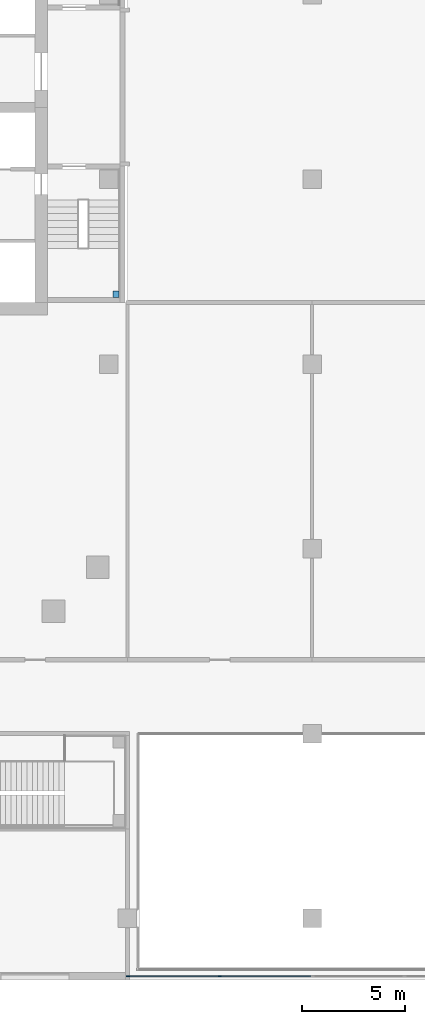
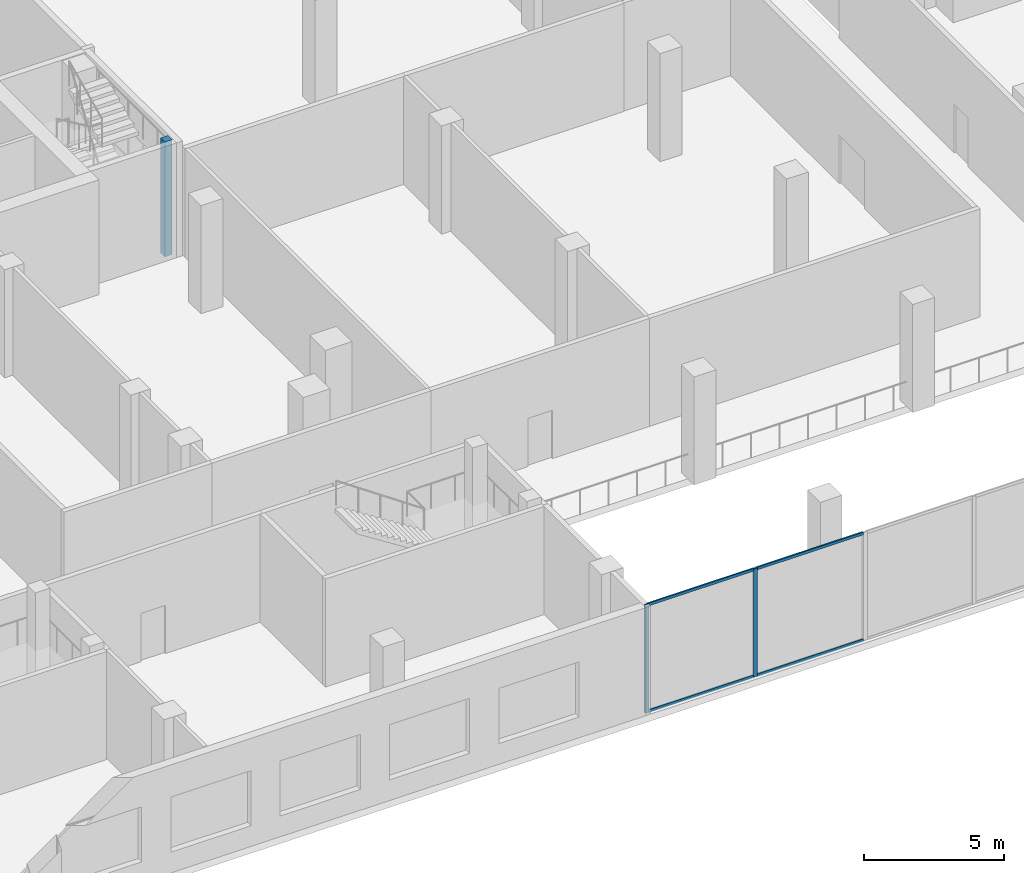
# One storey, part 2 of 23: 7 members, 1 element without a shape of its own.
"""IFC4 building model written with IfcOpenShell, lengths in metres."""

import ifcopenshell
import ifcopenshell.guid

model = None  # the IFC model being written
_history = None  # IfcOwnerHistory: only IFC2X3 demands one
_inside = {}  # id of a spatial element -> (the spatial element, [elements in it])
_under = {}  # id of a project, library or spatial element -> (it, [spatial elements below it])
_declared = {}  # id of a project -> (the project, [libraries it declares])
_typed = {}  # id of a type object -> (the type object, [elements of that type])
_made_of = {}  # id of a material, layer set ... -> (it, [elements and type objects made of it])


def new_model(schema):
    """Start an empty IFC model of exactly this schema.

    Asked for "IFC4X3", IfcOpenShell would pick the latest addendum, in which some entities
    have other attributes; the version numbers below select the first issue.
    IFC2X3 requires an IfcOwnerHistory on every rooted entity: one is made here for all.
    """
    global model, _history
    if schema == "IFC4X3":
        model = ifcopenshell.file(schema_version=(4, 3, 0, 0))
    else:
        model = ifcopenshell.file(schema=schema)
    _inside.clear()
    _under.clear()
    _declared.clear()
    _typed.clear()
    _made_of.clear()
    _history = None
    if model.schema == "IFC2X3":
        org = make("IfcOrganization", Name="unknown")
        user = make(
            "IfcPersonAndOrganization",
            ThePerson=make("IfcPerson", FamilyName="unknown"),
            TheOrganization=org,
        )
        app = make(
            "IfcApplication",
            ApplicationDeveloper=org,
            Version="unknown",
            ApplicationFullName="unknown",
            ApplicationIdentifier="unknown",
        )
        _history = make(
            "IfcOwnerHistory",
            OwningUser=user,
            OwningApplication=app,
            ChangeAction="ADDED",
            CreationDate=0,
        )
    return model


def make(cls, **values):
    """One entity of the class cls with the attributes given. An attribute that is None is left unset."""
    return model.create_entity(
        cls, **{name: value for name, value in values.items() if value is not None}
    )


def rooted(cls, **values):
    """An entity with a GlobalId (a new one), such as an element, a storey or a relation."""
    return make(cls, GlobalId=ifcopenshell.guid.new(), OwnerHistory=_history, **values)


def si_unit(unit_type, name, prefix=None):
    """IfcSIUnit, for example si_unit("LENGTHUNIT", "METRE", prefix="MILLI")."""
    return make("IfcSIUnit", UnitType=unit_type, Prefix=prefix, Name=name)


def assignment(units):
    """IfcUnitAssignment: the units of a project."""
    return None if units is None else make("IfcUnitAssignment", Units=units)


def point(xyz):
    """IfcCartesianPoint."""
    return None if xyz is None else make("IfcCartesianPoint", Coordinates=xyz)


def direction(xyz):
    """IfcDirection."""
    return None if xyz is None else make("IfcDirection", DirectionRatios=xyz)


def frame(location, z_axis=None, x_axis=None):
    """IfcAxis2Placement3D, a coordinate frame: its origin and axes. An axis left out is left unset."""
    return make(
        "IfcAxis2Placement3D",
        Location=point(location),
        Axis=direction(z_axis),
        RefDirection=direction(x_axis),
    )


def frame_2d(location, x_axis=None):
    """IfcAxis2Placement2D, a coordinate frame in the plane: its origin and x axis."""
    return make(
        "IfcAxis2Placement2D", Location=point(location), RefDirection=direction(x_axis)
    )


def origin():
    """The frame at (0, 0, 0) with its axes left unset."""
    return frame((0.0, 0.0, 0.0))


def origin_2d():
    """The frame at (0, 0) in the plane with its x axis left unset."""
    return frame_2d((0.0, 0.0))


def place(relative_to, where):
    """IfcLocalPlacement: puts the frame where relative to a parent placement (None: the world)."""
    return make(
        "IfcLocalPlacement", PlacementRelTo=relative_to, RelativePlacement=where
    )


def context(
    kind, dimensions, precision=None, world=None, true_north=None, identifier=None
):
    """IfcGeometricRepresentationContext, for example the 3D "Model" context."""
    return make(
        "IfcGeometricRepresentationContext",
        ContextIdentifier=identifier,
        ContextType=kind,
        CoordinateSpaceDimension=dimensions,
        Precision=precision,
        WorldCoordinateSystem=world,
        TrueNorth=true_north,
    )


def subcontext(parent, identifier, kind, view, scale=None):
    """IfcGeometricRepresentationSubContext, for example "Body" below "Model"."""
    return make(
        "IfcGeometricRepresentationSubContext",
        ContextIdentifier=identifier,
        ContextType=kind,
        ParentContext=parent,
        TargetScale=scale,
        TargetView=view,
    )


def project(units=None, contexts=None):
    """IfcProject with its units and contexts."""
    return rooted(
        "IfcProject",
        Name="project",
        RepresentationContexts=contexts,
        UnitsInContext=assignment(units),
    )


def spatial(cls, under=None, at=None, **own):
    """A site, building, storey or space (cls), placed at a placement, below another one or the project."""
    s = rooted(cls, ObjectPlacement=at, **own)
    if under is not None:
        _under.setdefault(under.id(), (under, []))[1].append(s)
    return s


def profile(cls, at=None, kind="AREA", **sizes):
    """A parametric profile (cls). Its sizes go by their IFC names, for example OverallWidth=200.0."""
    return make(cls, ProfileType=kind, Position=at, **sizes)


def rectangle(**sizes):
    """IfcRectangleProfileDef."""
    return profile("IfcRectangleProfileDef", **sizes)


def extrude(swept, where, along, depth):
    """IfcExtrudedAreaSolid: the profile swept, set in the frame where, extruded along a direction by depth."""
    return make(
        "IfcExtrudedAreaSolid",
        SweptArea=swept,
        Position=where,
        ExtrudedDirection=direction(along),
        Depth=depth,
    )


def shape(context_of_items, identifier, shape_type, items):
    """IfcShapeRepresentation: the items that make up one representation, for example the "Body"."""
    return make(
        "IfcShapeRepresentation",
        ContextOfItems=context_of_items,
        RepresentationIdentifier=identifier,
        RepresentationType=shape_type,
        Items=items,
    )


def material(Name=None, Category=None):
    """IfcMaterial."""
    return make("IfcMaterial", Name=Name, Category=Category)


def material_profile(
    of_material, cross_section, Name=None, Category=None, Priority=None
):
    """IfcMaterialProfile: a cross section and its material."""
    return make(
        "IfcMaterialProfile",
        Name=Name,
        Material=of_material,
        Profile=cross_section,
        Priority=Priority,
        Category=Category,
    )


def profile_set(profiles, Name=None, composite=None):
    """IfcMaterialProfileSet."""
    return make(
        "IfcMaterialProfileSet",
        Name=Name,
        MaterialProfiles=profiles,
        CompositeProfile=composite,
    )


def made_of(thing, what):
    """Note that an element or type object is made of a material, layer set ...; save() writes the relation."""
    if what is not None:
        _made_of.setdefault(what.id(), (what, []))[1].append(thing)
    return thing


def type_object(cls, material=None, **own):
    """A type object (cls), such as IfcWallType, which elements share."""
    return made_of(rooted(cls, **own), material)


def element(
    cls,
    number,
    at=None,
    inside=None,
    cuts=None,
    type_object=None,
    material=None,
    context=None,
    identifier="Body",
    shape_type=None,
    held_by="IfcProductDefinitionShape",
    body=None,
    shapes=None,
    **own,
):
    """One element of the class cls, such as IfcWall. Its Tag is "e" and its number.

    at: its placement. inside: the storey or other place that contains it. cuts: it is an
    opening in that element (IfcRelVoidsElement). A single representation is given by context,
    identifier, shape_type and body (its items); several are given by shapes. held_by: the class
    of the entity that holds the representations. save() writes the other relations.
    """
    e = rooted(cls, Tag="e%d" % number, ObjectPlacement=at, **own)
    if body is not None:
        shapes = [shape(context, identifier, shape_type, body)]
    if shapes is not None:
        e.Representation = make(held_by, Representations=shapes)
    if inside is not None:
        _inside.setdefault(inside.id(), (inside, []))[1].append(e)
    if cuts is not None:
        rooted(
            "IfcRelVoidsElement", RelatingBuildingElement=cuts, RelatedOpeningElement=e
        )
    if type_object is not None:
        _typed.setdefault(type_object.id(), (type_object, []))[1].append(e)
    return made_of(e, material)


def aggregate(whole, parts):
    """IfcRelAggregates: a whole, such as a stair, and the parts it consists of."""
    return rooted("IfcRelAggregates", RelatingObject=whole, RelatedObjects=parts)


def save(model, path):
    """Write the relations noted so far, then the file.

    IfcRelAggregates (storeys below a building ...), IfcRelContainedInSpatialStructure (elements
    in a storey), IfcRelDefinesByType, IfcRelAssociatesMaterial and IfcRelDeclares: one each for
    every whole, place, type object, material and project.
    """
    for whole, parts in _under.values():
        aggregate(whole, parts)
    for where, things in _inside.values():
        rooted(
            "IfcRelContainedInSpatialStructure",
            RelatedElements=things,
            RelatingStructure=where,
        )
    for kind, things in _typed.values():
        rooted("IfcRelDefinesByType", RelatedObjects=things, RelatingType=kind)
    for what, things in _made_of.values():
        rooted("IfcRelAssociatesMaterial", RelatedObjects=things, RelatingMaterial=what)
    for by, libraries in _declared.values():
        rooted("IfcRelDeclares", RelatingContext=by, RelatedDefinitions=libraries)
    model.write(path)


model = new_model("IFC4")

# Units and contexts
model_context = context("Model", 3, precision=1e-05, world=origin(), true_north=direction((0.0, 1.0)))
body_context = subcontext(model_context, "Body", "Model", "MODEL_VIEW")
ifc_project = project(units=[si_unit("LENGTHUNIT", "METRE"), si_unit("AREAUNIT", "SQUARE_METRE"), si_unit("VOLUMEUNIT", "CUBIC_METRE"), si_unit("PLANEANGLEUNIT", "RADIAN"), si_unit("MASSUNIT", "GRAM", prefix="KILO")], contexts=[model_context])

# Site, building, storey
site_placement = place(None, origin())
site = spatial("IfcSite", under=ifc_project, at=site_placement, CompositionType="ELEMENT")
building_placement = place(site_placement, origin())
building = spatial("IfcBuilding", under=site, at=building_placement, Name="Cinnabar Reach Civic Tower", CompositionType="ELEMENT")
storey_placement = place(building_placement, frame((0.0, 0.0, 6.0)))
storey = spatial("IfcBuildingStorey", under=building, at=storey_placement, Name="L01", CompositionType="ELEMENT", Elevation=6.0)

# Curtain wall, members
ifc_material_1 = material(Name="Aluminium and clear double glazing", Category="aluminium")
curtain_wall_type = type_object("IfcCurtainWallType", Name="Hall front curtain wall", PredefinedType="NOTDEFINED", material=ifc_material_1)
curtain_wall_placement = place(storey_placement, origin())
curtain_wall = element("IfcCurtainWall", 1, at=curtain_wall_placement, inside=storey, type_object=curtain_wall_type, Name="Hall front 3", PredefinedType="NOTDEFINED")
ifc_material_2 = material(Name="Aluminium", Category="aluminium")
ifc_material_profile_1 = material_profile(ifc_material_2, rectangle(XDim=0.06, YDim=0.16, at=origin_2d()), Name="Hall front mullion")
ifc_profile_set_1 = profile_set([ifc_material_profile_1], Name="Aluminium")
member_type_1 = type_object("IfcMemberType", Name="Hall front mullion", PredefinedType="MULLION", material=ifc_profile_set_1)
member_1_placement = place(storey_placement, frame((-26.97, -11.82, 0.0), z_axis=(0.0, 0.0, 1.0), x_axis=(0.0, 1.0, 0.0)))
member_1 = element("IfcMember", 2, at=member_1_placement, type_object=member_type_1, Name="CW-HALL-3 mullion 1", PredefinedType="MULLION", context=body_context, shape_type="SweptSolid", body=[
    extrude(rectangle(XDim=0.06, YDim=0.16, at=origin_2d()), origin(), (0.0, 0.0, 1.0), 4.7),
])
member_2_placement = place(storey_placement, frame((-22.5, -11.82, 0.0), z_axis=(0.0, 0.0, 1.0), x_axis=(0.0, 1.0, 0.0)))
member_2 = element("IfcMember", 3, at=member_2_placement, type_object=member_type_1, Name="CW-HALL-3 mullion 2", PredefinedType="MULLION", context=body_context, shape_type="SweptSolid", body=[
    extrude(rectangle(XDim=0.06, YDim=0.16, at=origin_2d()), origin(), (0.0, 0.0, 1.0), 4.7),
])
ifc_material_profile_2 = material_profile(ifc_material_2, rectangle(XDim=0.06, YDim=0.12, at=origin_2d()), Name="Hall front transom")
ifc_profile_set_2 = profile_set([ifc_material_profile_2], Name="Aluminium")
member_type_2 = type_object("IfcMemberType", Name="Hall front transom", PredefinedType="USERDEFINED", material=ifc_profile_set_2)
member_3_placement = place(storey_placement, frame((-26.94, -11.82, 0.03), z_axis=(1.0, 0.0, 0.0), x_axis=(0.0, 1.0, 0.0)))
member_3 = element("IfcMember", 4, at=member_3_placement, type_object=member_type_2, Name="CW-HALL-3 transom 1.1", ObjectType="TRANSOM", PredefinedType="USERDEFINED", context=body_context, shape_type="SweptSolid", body=[
    extrude(rectangle(XDim=0.06, YDim=0.12, at=origin_2d()), origin(), (0.0, 0.0, 1.0), 4.41),
])
member_4_placement = place(storey_placement, frame((-26.94, -11.82, 4.67), z_axis=(1.0, 0.0, 0.0), x_axis=(0.0, 1.0, 0.0)))
member_4 = element("IfcMember", 5, at=member_4_placement, type_object=member_type_2, Name="CW-HALL-3 transom 1.2", ObjectType="TRANSOM", PredefinedType="USERDEFINED", context=body_context, shape_type="SweptSolid", body=[
    extrude(rectangle(XDim=0.06, YDim=0.12, at=origin_2d()), origin(), (0.0, 0.0, 1.0), 4.41),
])
member_5_placement = place(storey_placement, frame((-22.47, -11.82, 0.03), z_axis=(1.0, 0.0, 0.0), x_axis=(0.0, 1.0, 0.0)))
member_5 = element("IfcMember", 6, at=member_5_placement, type_object=member_type_2, Name="CW-HALL-3 transom 2.1", ObjectType="TRANSOM", PredefinedType="USERDEFINED", context=body_context, shape_type="SweptSolid", body=[
    extrude(rectangle(XDim=0.06, YDim=0.12, at=origin_2d()), origin(), (0.0, 0.0, 1.0), 4.41),
])
member_6_placement = place(storey_placement, frame((-22.47, -11.82, 4.67), z_axis=(1.0, 0.0, 0.0), x_axis=(0.0, 1.0, 0.0)))
member_6 = element("IfcMember", 7, at=member_6_placement, type_object=member_type_2, Name="CW-HALL-3 transom 2.2", ObjectType="TRANSOM", PredefinedType="USERDEFINED", context=body_context, shape_type="SweptSolid", body=[
    extrude(rectangle(XDim=0.06, YDim=0.12, at=origin_2d()), origin(), (0.0, 0.0, 1.0), 4.41),
])
aggregate(curtain_wall, [member_1, member_2, member_3, member_4, member_5, member_6])

# Member
ifc_material_3 = material(Name="Concrete C40", Category="concrete")
ifc_material_profile_3 = material_profile(ifc_material_3, rectangle(XDim=0.3, YDim=0.3, at=origin_2d()), Name="C300")
ifc_profile_set_3 = profile_set([ifc_material_profile_3], Name="Concrete C40")
member_type_3 = type_object("IfcMemberType", Name="T2 stair post 300", PredefinedType="STRUT", material=ifc_profile_set_3)
member_7_placement = place(storey_placement, frame((-27.55, 21.4, 0.0), z_axis=(0.0, 0.0, 1.0), x_axis=(1.0, 0.0, 0.0)))
element("IfcMember", 8, at=member_7_placement, inside=storey, type_object=member_type_3, Name="Stair post 1", PredefinedType="STRUT", context=body_context, shape_type="SweptSolid", body=[
    extrude(rectangle(XDim=0.3, YDim=0.3, at=origin_2d()), origin(), (0.0, 0.0, 1.0), 5.0),
])

save(model, "model.ifc")
